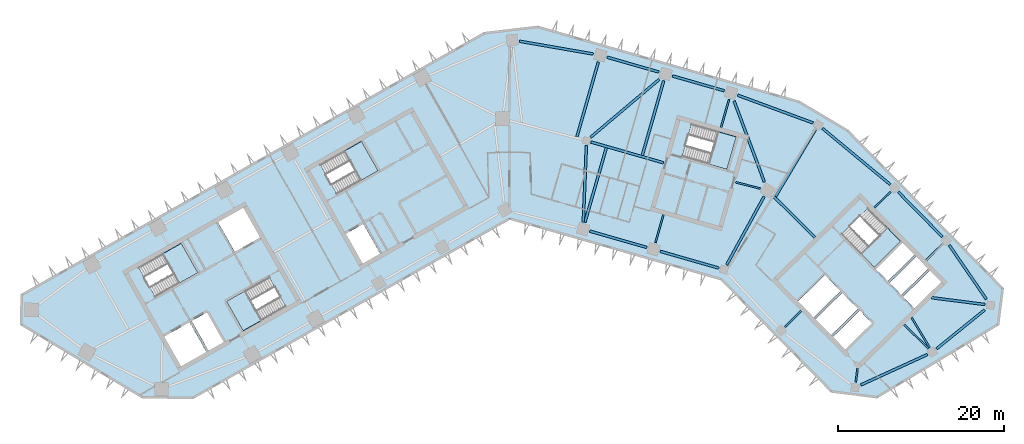
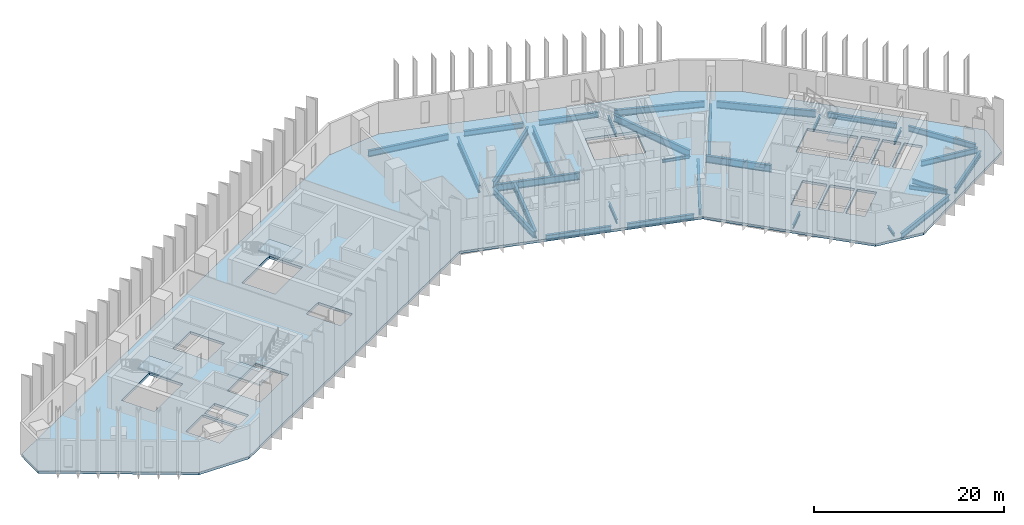
# One storey, part 2 of 11: 31 beams, 6 slabs, 5 elements without a shape of their own.
"""IFC4 building model written with IfcOpenShell, lengths in metres."""

from ifc_helpers import new_model, si_unit, direction, frame, origin, origin_2d, place, context, subcontext, project, spatial, polyline, i_section, outline, extrude, material, layer, layer_set, material_profile, profile_set, type_object, element, aggregate, save


model = new_model("IFC4")

# Units and contexts
model_context = context("Model", 3, precision=1e-05, world=origin(), true_north=direction((0.0, 1.0)))
body_context = subcontext(model_context, "Body", "Model", "MODEL_VIEW")
ifc_project = project(units=[si_unit("LENGTHUNIT", "METRE"), si_unit("AREAUNIT", "SQUARE_METRE"), si_unit("VOLUMEUNIT", "CUBIC_METRE"), si_unit("PLANEANGLEUNIT", "RADIAN"), si_unit("MASSUNIT", "GRAM", prefix="KILO")], contexts=[model_context])

# Site, building, storey
site_placement = place(None, origin())
site = spatial("IfcSite", under=ifc_project, at=site_placement, CompositionType="ELEMENT")
building_placement = place(site_placement, origin())
building = spatial("IfcBuilding", under=site, at=building_placement, Name="Binnacle Exchange Tower", CompositionType="ELEMENT")
storey_placement = place(building_placement, frame((0.0, 0.0, 97.10009765625)))
storey = spatial("IfcBuildingStorey", under=building, at=storey_placement, Name="L19", CompositionType="ELEMENT", Elevation=97.10009765625)

# Beams
ifc_material_1 = material(Name="Steel S355 (SHN355)", Category="steel")
ifc_material_profile_1 = material_profile(ifc_material_1, i_section(OverallWidth=0.300048828125, OverallDepth=0.699951171875, WebThickness=0.012939453125, FlangeThickness=0.02392578125, FilletRadius=0.028076171875, at=origin_2d()), Name="H 700x300x13x24")
ifc_profile_set_1 = profile_set([ifc_material_profile_1], Name="Steel S355 (SHN355)")
beam_type_1 = type_object("IfcBeamType", Name="Edge girder H 700x300x13x24 Steel S355 (SHN355)", PredefinedType="SPANDREL", material=ifc_profile_set_1)
beam_1_placement = place(storey_placement, frame((9.626708984375, 46.488037109375, -0.670166015625), z_axis=(0.961260850036, -0.275640305812, 0.0), x_axis=(0.275640305812, 0.961260850036, 0.0)))
element("IfcBeam", 1, at=beam_1_placement, inside=storey, type_object=beam_type_1, Name="S:BM:edge:L19:030", PredefinedType="SPANDREL", context=body_context, shape_type="SweptSolid", body=[
    extrude(i_section(OverallWidth=0.300048828125, OverallDepth=0.699951171875, WebThickness=0.012939453125, FlangeThickness=0.02392578125, FilletRadius=0.028076171875, at=origin_2d()), origin(), (0.0, 0.0, 1.0), 7.120361328125),
])
beam_2_placement = place(storey_placement, frame((17.92919921875, 65.610595703125, -0.670166015625), z_axis=(-0.961261624999, 0.275637603213, 0.0), x_axis=(-0.275637603213, -0.961261624999, 0.0)))
element("IfcBeam", 2, at=beam_2_placement, inside=storey, type_object=beam_type_1, Name="S:BM:edge:L19:032", PredefinedType="SPANDREL", context=body_context, shape_type="SweptSolid", body=[
    extrude(i_section(OverallWidth=0.300048828125, OverallDepth=0.699951171875, WebThickness=0.012939453125, FlangeThickness=0.02392578125, FilletRadius=0.028076171875, at=origin_2d()), origin(), (0.0, 0.0, 1.0), 6.472900390625),
])
beam_3_placement = place(storey_placement, frame((18.105224609375, 44.056884765625, -0.670166015625), z_axis=(0.96126047873, -0.275641600691, 0.0), x_axis=(0.275641600691, 0.96126047873, 0.0)))
element("IfcBeam", 3, at=beam_3_placement, inside=storey, type_object=beam_type_1, Name="S:BM:edge:L19:033", PredefinedType="SPANDREL", context=body_context, shape_type="SweptSolid", body=[
    extrude(i_section(OverallWidth=0.300048828125, OverallDepth=0.699951171875, WebThickness=0.012939453125, FlangeThickness=0.02392578125, FilletRadius=0.028076171875, at=origin_2d()), origin(), (0.0, 0.0, 1.0), 7.320556640625),
])
beam_4_placement = place(storey_placement, frame((25.78564453125, 63.35791015625, -0.670166015625), z_axis=(-0.961271618025, 0.275602751036, 0.0), x_axis=(-0.275602751036, -0.961271618025, 0.0)))
element("IfcBeam", 4, at=beam_4_placement, inside=storey, type_object=beam_type_1, Name="S:BM:edge:L19:034", PredefinedType="SPANDREL", context=body_context, shape_type="SweptSolid", body=[
    extrude(i_section(OverallWidth=0.300048828125, OverallDepth=0.699951171875, WebThickness=0.012939453125, FlangeThickness=0.02392578125, FilletRadius=0.028076171875, at=origin_2d()), origin(), (0.0, 0.0, 1.0), 6.472900390625),
])
beam_5_placement = place(storey_placement, frame((51.322265625, 32.343505859375, -0.670166015625), z_axis=(0.777568489665, 0.628798253719, 0.0), x_axis=(-0.628798253719, 0.777568489665, 0.0)))
element("IfcBeam", 5, at=beam_5_placement, inside=storey, type_object=beam_type_1, Name="S:BM:edge:L19:040", PredefinedType="SPANDREL", context=body_context, shape_type="SweptSolid", body=[
    extrude(i_section(OverallWidth=0.300048828125, OverallDepth=0.699951171875, WebThickness=0.012939453125, FlangeThickness=0.02392578125, FilletRadius=0.028076171875, at=origin_2d()), origin(), (0.0, 0.0, 1.0), 7.428955078125),
])
beam_6_placement = place(storey_placement, frame((52.010986328125, 45.802978515625, -0.670166015625), z_axis=(-0.700905226564, 0.713254417004, 0.0), x_axis=(-0.713254417004, -0.700905226564, 0.0)))
element("IfcBeam", 6, at=beam_6_placement, inside=storey, type_object=beam_type_1, Name="S:BM:edge:L19:041", PredefinedType="SPANDREL", context=body_context, shape_type="SweptSolid", body=[
    extrude(i_section(OverallWidth=0.300048828125, OverallDepth=0.699951171875, WebThickness=0.012939453125, FlangeThickness=0.02392578125, FilletRadius=0.028076171875, at=origin_2d()), origin(), (0.0, 0.0, 1.0), 7.57177734375),
])
beam_7_placement = place(storey_placement, frame((57.305419921875, 38.299072265625, -0.670166015625), z_axis=(-0.566409202341, 0.82412415054, 0.0), x_axis=(-0.82412415054, -0.566409202341, 0.0)))
element("IfcBeam", 7, at=beam_7_placement, inside=storey, type_object=beam_type_1, Name="S:BM:edge:L19:042", PredefinedType="SPANDREL", context=body_context, shape_type="SweptSolid", body=[
    extrude(i_section(OverallWidth=0.300048828125, OverallDepth=0.699951171875, WebThickness=0.012939453125, FlangeThickness=0.02392578125, FilletRadius=0.028076171875, at=origin_2d()), origin(), (0.0, 0.0, 1.0), 7.8828125),
])
ifc_material_profile_2 = material_profile(ifc_material_1, i_section(OverallWidth=0.302001953125, OverallDepth=0.7080078125, WebThickness=0.014892578125, FlangeThickness=0.028076171875, FilletRadius=0.028076171875, at=origin_2d()), Name="H 708x302x15x28")
ifc_profile_set_2 = profile_set([ifc_material_profile_2], Name="Steel S355 (SHN355)")
beam_type_2 = type_object("IfcBeamType", Name="Edge girder H 708x302x15x28 Steel S355 (SHN355)", PredefinedType="SPANDREL", material=ifc_profile_set_2)
beam_8_placement = place(storey_placement, frame((42.215576171875, 27.99365234375, -0.674072265625), z_axis=(0.909179052108, 0.416405392866, 0.0), x_axis=(-0.416405392866, 0.909179052108, 0.0)))
element("IfcBeam", 8, at=beam_8_placement, inside=storey, type_object=beam_type_2, Name="S:BM:edge:L19:038", PredefinedType="SPANDREL", context=body_context, shape_type="SweptSolid", body=[
    extrude(i_section(OverallWidth=0.302001953125, OverallDepth=0.7080078125, WebThickness=0.014892578125, FlangeThickness=0.028076171875, FilletRadius=0.028076171875, at=origin_2d()), origin(), (0.0, 0.0, 1.0), 8.801025390625),
])
ifc_material_profile_3 = material_profile(ifc_material_1, i_section(OverallWidth=0.300048828125, OverallDepth=0.800048828125, WebThickness=0.013916015625, FlangeThickness=0.02587890625, FilletRadius=0.028076171875, at=origin_2d()), Name="H 800x300x14x26")
ifc_profile_set_3 = profile_set([ifc_material_profile_3], Name="Steel S355 (SHN355)")
beam_type_3 = type_object("IfcBeamType", Name="Edge girder H 800x300x14x26 Steel S355 (SHN355)", PredefinedType="SPANDREL", material=ifc_profile_set_3)
beam_9_placement = place(storey_placement, frame((10.047607421875, 67.77490234375, -0.72021484375), z_axis=(-0.985312460293, 0.17076110679, 0.0), x_axis=(-0.17076110679, -0.985312460293, 0.0)))
element("IfcBeam", 9, at=beam_9_placement, inside=storey, type_object=beam_type_3, Name="S:BM:edge:L19:031", PredefinedType="SPANDREL", context=body_context, shape_type="SweptSolid", body=[
    extrude(i_section(OverallWidth=0.300048828125, OverallDepth=0.800048828125, WebThickness=0.013916015625, FlangeThickness=0.02587890625, FilletRadius=0.028076171875, at=origin_2d()), origin(), (0.0, 0.0, 1.0), 9.005859375),
])
ifc_material_profile_4 = material_profile(ifc_material_1, i_section(OverallWidth=0.302001953125, OverallDepth=0.80810546875, WebThickness=0.01611328125, FlangeThickness=0.030029296875, FilletRadius=0.028076171875, at=origin_2d()), Name="H 808x302x16x30")
ifc_profile_set_4 = profile_set([ifc_material_profile_4], Name="Steel S355 (SHN355)")
beam_type_4 = type_object("IfcBeamType", Name="Edge girder H 808x302x16x30 Steel S355 (SHN355)", PredefinedType="SPANDREL", material=ifc_profile_set_4)
beam_10_placement = place(storey_placement, frame((36.464599609375, 59.490966796875, -0.72412109375), z_axis=(-0.938368148393, 0.345637408395, 0.0), x_axis=(-0.345637408395, -0.938368148393, 0.0)))
element("IfcBeam", 10, at=beam_10_placement, inside=storey, type_object=beam_type_4, Name="S:BM:edge:L19:037", PredefinedType="SPANDREL", context=body_context, shape_type="SweptSolid", body=[
    extrude(i_section(OverallWidth=0.302001953125, OverallDepth=0.80810546875, WebThickness=0.01611328125, FlangeThickness=0.030029296875, FilletRadius=0.028076171875, at=origin_2d()), origin(), (0.0, 0.0, 1.0), 9.6572265625),
])
ifc_material_profile_5 = material_profile(ifc_material_1, i_section(OverallWidth=0.300048828125, OverallDepth=0.89990234375, WebThickness=0.01611328125, FlangeThickness=0.028076171875, FilletRadius=0.028076171875, at=origin_2d()), Name="H 900x300x16x28")
ifc_profile_set_5 = profile_set([ifc_material_profile_5], Name="Steel S355 (SHN355)")
beam_type_5 = type_object("IfcBeamType", Name="Edge girder H 900x300x16x28 Steel S355 (SHN355)", PredefinedType="SPANDREL", material=ifc_profile_set_5)
beam_11_placement = place(storey_placement, frame((45.7451171875, 52.084228515625, -0.77001953125), z_axis=(-0.769906025895, 0.638157277864, 0.0), x_axis=(-0.638157277864, -0.769906025895, 0.0)))
element("IfcBeam", 11, at=beam_11_placement, inside=storey, type_object=beam_type_5, Name="S:BM:edge:L19:039", PredefinedType="SPANDREL", context=body_context, shape_type="SweptSolid", body=[
    extrude(i_section(OverallWidth=0.300048828125, OverallDepth=0.89990234375, WebThickness=0.01611328125, FlangeThickness=0.028076171875, FilletRadius=0.028076171875, at=origin_2d()), origin(), (0.0, 0.0, 1.0), 10.59033203125),
])
ifc_material_profile_6 = material_profile(ifc_material_1, i_section(OverallWidth=0.199951171875, OverallDepth=0.39990234375, WebThickness=0.008056640625, FlangeThickness=0.012939453125, FilletRadius=0.01611328125, at=origin_2d()), Name="H 400x200x8x13")
ifc_profile_set_6 = profile_set([ifc_material_profile_6], Name="Steel S355 (SHN355)")
beam_type_6 = type_object("IfcBeamType", Name="Floor beam H 400x200x8x13 Steel S355 (SHN355)", PredefinedType="BEAM", material=ifc_profile_set_6)
beam_12_placement = place(storey_placement, frame((41.601806640625, 28.319580078125, -0.52001953125), z_axis=(0.126197116971, 0.992005185303, 0.0), x_axis=(-0.992005185303, 0.126197116971, 0.0)))
element("IfcBeam", 12, at=beam_12_placement, inside=storey, type_object=beam_type_6, Name="S:BM:cross:L19:063", PredefinedType="BEAM", context=body_context, shape_type="SweptSolid", body=[
    extrude(i_section(OverallWidth=0.199951171875, OverallDepth=0.39990234375, WebThickness=0.008056640625, FlangeThickness=0.012939453125, FilletRadius=0.01611328125, at=origin_2d()), origin(), (0.0, 0.0, 1.0), 1.68115234375),
])
ifc_material_profile_7 = material_profile(ifc_material_1, i_section(OverallWidth=0.199951171875, OverallDepth=0.449951171875, WebThickness=0.009033203125, FlangeThickness=0.013916015625, FilletRadius=0.01806640625, at=origin_2d()), Name="H 450x200x9x14")
ifc_profile_set_7 = profile_set([ifc_material_profile_7], Name="Steel S355 (SHN355)")
beam_type_7 = type_object("IfcBeamType", Name="Floor beam H 450x200x9x14 Steel S355 (SHN355)", PredefinedType="BEAM", material=ifc_profile_set_7)
for number, where, z_axis, x_axis, name in (
    (13, (33.104736328125, 34.985595703125, -0.545166015625), (0.713254209224, 0.700905438004, 0.0), (-0.700905438004, 0.713254209224, 0.0), "S:BM:cross:L19:061"),
    (14, (45.78466796875, 51.211669921875, -0.545166015625), (-0.713299272232, -0.700859578113, 0.0), (0.700859578113, -0.713299272232, 0.0), "S:BM:cross:L19:064"),
    (15, (52.003173828125, 44.8837890625, -0.545166015625), (-0.713254209224, -0.700905438004, 0.0), (0.700905438004, -0.713254209224, 0.0), "S:BM:cross:L19:066"),
):
    element("IfcBeam", number, at=place(storey_placement, frame(where, z_axis=z_axis, x_axis=x_axis)), inside=storey, type_object=beam_type_7, Name=name, PredefinedType="BEAM", context=body_context, shape_type="SweptSolid", body=[
        extrude(i_section(OverallWidth=0.199951171875, OverallDepth=0.449951171875, WebThickness=0.009033203125, FlangeThickness=0.013916015625, FilletRadius=0.01806640625, at=origin_2d()), origin(), (0.0, 0.0, 1.0), 2.70849609375),
    ])
ifc_material_profile_8 = material_profile(ifc_material_1, i_section(OverallWidth=0.200927734375, OverallDepth=0.506103515625, WebThickness=0.010986328125, FlangeThickness=0.01904296875, FilletRadius=0.02001953125, at=origin_2d()), Name="H 506x201x11x19")
ifc_profile_set_8 = profile_set([ifc_material_profile_8], Name="Steel S355 (SHN355)")
beam_type_8 = type_object("IfcBeamType", Name="Floor beam H 506x201x11x19 Steel S355 (SHN355)", PredefinedType="BEAM", material=ifc_profile_set_8)
for number, where, z_axis, x_axis, name in (
    (16, (17.5224609375, 45.108154296875, -0.572998046875), (0.275655468279, 0.961256502089, 0.0), (-0.961256502089, 0.275655468279, 0.0), "S:BM:cross:L19:058"),
    (17, (26.368408203125, 62.306396484375, -0.572998046875), (-0.275655468279, -0.961256502089, 0.0), (0.961256502089, -0.275655468279, 0.0), "S:BM:cross:L19:060"),
):
    element("IfcBeam", number, at=place(storey_placement, frame(where, z_axis=z_axis, x_axis=x_axis)), inside=storey, type_object=beam_type_8, Name=name, PredefinedType="BEAM", context=body_context, shape_type="SweptSolid", body=[
        extrude(i_section(OverallWidth=0.200927734375, OverallDepth=0.506103515625, WebThickness=0.010986328125, FlangeThickness=0.01904296875, FilletRadius=0.02001953125, at=origin_2d()), origin(), (0.0, 0.0, 1.0), 3.485107421875),
    ])
ifc_material_profile_9 = material_profile(ifc_material_1, i_section(OverallWidth=0.199951171875, OverallDepth=0.60009765625, WebThickness=0.010986328125, FlangeThickness=0.01708984375, FilletRadius=0.02197265625, at=origin_2d()), Name="H 600x200x11x17")
ifc_profile_set_9 = profile_set([ifc_material_profile_9], Name="Steel S355 (SHN355)")
beam_type_9 = type_object("IfcBeamType", Name="Floor beam H 600x200x11x17 Steel S355 (SHN355)", PredefinedType="BEAM", material=ifc_profile_set_9)
beam_13_placement = place(storey_placement, frame((50.477294921875, 32.488037109375, -0.6201171875), z_axis=(-0.515057466438, 0.857155648798, 0.0), x_axis=(-0.857155648798, -0.515057466438, 0.0)))
element("IfcBeam", 18, at=beam_13_placement, inside=storey, type_object=beam_type_9, Name="S:BM:cross:L19:065", PredefinedType="BEAM", context=body_context, shape_type="SweptSolid", body=[
    extrude(i_section(OverallWidth=0.199951171875, OverallDepth=0.60009765625, WebThickness=0.010986328125, FlangeThickness=0.01708984375, FilletRadius=0.02197265625, at=origin_2d()), origin(), (0.0, 0.0, 1.0), 4.2177734375),
])
ifc_material_profile_10 = material_profile(ifc_material_1, i_section(OverallWidth=0.300048828125, OverallDepth=0.699951171875, WebThickness=0.012939453125, FlangeThickness=0.02392578125, FilletRadius=0.028076171875, at=origin_2d()), Name="H 700x300x13x24")
ifc_profile_set_10 = profile_set([ifc_material_profile_10], Name="Steel S355 (SHN355)")
beam_type_10 = type_object("IfcBeamType", Name="Floor beam H 700x300x13x24 Steel S355 (SHN355)", PredefinedType="BEAM", material=ifc_profile_set_10)
beam_14_placement = place(storey_placement, frame((57.154296875, 37.6630859375, -0.670166015625), z_axis=(-0.992006658356, 0.126185537116, 0.0), x_axis=(-0.126185537116, -0.992006658356, 0.0)))
element("IfcBeam", 19, at=beam_14_placement, inside=storey, type_object=beam_type_10, Name="S:BM:cross:L19:067", PredefinedType="BEAM", context=body_context, shape_type="SweptSolid", body=[
    extrude(i_section(OverallWidth=0.300048828125, OverallDepth=0.699951171875, WebThickness=0.012939453125, FlangeThickness=0.02392578125, FilletRadius=0.028076171875, at=origin_2d()), origin(), (0.0, 0.0, 1.0), 6.4814453125),
])
ifc_material_profile_11 = material_profile(ifc_material_1, i_section(OverallWidth=0.302978515625, OverallDepth=0.91796875, WebThickness=0.01904296875, FlangeThickness=0.037109375, FilletRadius=0.028076171875, at=origin_2d()), Name="H 918x303x19x37")
ifc_profile_set_11 = profile_set([ifc_material_profile_11], Name="Steel S355 (SHN355)")
beam_type_11 = type_object("IfcBeamType", Name="Floor beam H 918x303x19x37 Steel S355 (SHN355)", PredefinedType="BEAM", material=ifc_profile_set_11)
beam_15_placement = place(storey_placement, frame((9.043701171875, 47.539306640625, -0.779052734375), z_axis=(0.275646698205, 0.961259017003, 0.0), x_axis=(-0.961259017003, 0.275646698205, 0.0)))
element("IfcBeam", 20, at=beam_15_placement, inside=storey, type_object=beam_type_11, Name="S:BM:cross:L19:056", PredefinedType="BEAM", context=body_context, shape_type="SweptSolid", body=[
    extrude(i_section(OverallWidth=0.302978515625, OverallDepth=0.91796875, WebThickness=0.01904296875, FlangeThickness=0.037109375, FilletRadius=0.028076171875, at=origin_2d()), origin(), (0.0, 0.0, 1.0), 9.335205078125),
])
beam_16_placement = place(storey_placement, frame((10.65576171875, 66.81201171875, -0.779052734375), z_axis=(-0.275626703457, -0.961264750389, 0.0), x_axis=(0.961264750389, -0.275626703457, 0.0)))
element("IfcBeam", 21, at=beam_16_placement, inside=storey, type_object=beam_type_11, Name="S:BM:cross:L19:057", PredefinedType="BEAM", context=body_context, shape_type="SweptSolid", body=[
    extrude(i_section(OverallWidth=0.302978515625, OverallDepth=0.91796875, WebThickness=0.01904296875, FlangeThickness=0.037109375, FilletRadius=0.028076171875, at=origin_2d()), origin(), (0.0, 0.0, 1.0), 9.363525390625),
])
beam_17_placement = place(storey_placement, frame((18.511962890625, 64.55908203125, -0.779052734375), z_axis=(-0.275629461812, -0.961263959473, 0.0), x_axis=(0.961263959473, -0.275629461812, 0.0)))
element("IfcBeam", 22, at=beam_17_placement, inside=storey, type_object=beam_type_11, Name="S:BM:cross:L19:059", PredefinedType="BEAM", context=body_context, shape_type="SweptSolid", body=[
    extrude(i_section(OverallWidth=0.302978515625, OverallDepth=0.91796875, WebThickness=0.01904296875, FlangeThickness=0.037109375, FilletRadius=0.028076171875, at=origin_2d()), origin(), (0.0, 0.0, 1.0), 9.3349609375),
])
beam_18_placement = place(storey_placement, frame((36.752685546875, 58.703857421875, -0.779052734375), z_axis=(-0.511298188751, -0.859403375709, 0.0), x_axis=(0.859403375709, -0.511298188751, 0.0)))
element("IfcBeam", 23, at=beam_18_placement, inside=storey, type_object=beam_type_11, Name="S:BM:cross:L19:062", PredefinedType="BEAM", context=body_context, shape_type="SweptSolid", body=[
    extrude(i_section(OverallWidth=0.302978515625, OverallDepth=0.91796875, WebThickness=0.01904296875, FlangeThickness=0.037109375, FilletRadius=0.028076171875, at=origin_2d()), origin(), (0.0, 0.0, 1.0), 9.385986328125),
])
ifc_material_profile_12 = material_profile(ifc_material_1, i_section(OverallWidth=0.199951171875, OverallDepth=0.39990234375, WebThickness=0.008056640625, FlangeThickness=0.012939453125, FilletRadius=0.01611328125, at=origin_2d()), Name="H 400x200x8x13")
ifc_profile_set_12 = profile_set([ifc_material_profile_12], Name="Steel S355 (SHN355)")
beam_type_12 = type_object("IfcBeamType", Name="Spine girder H 400x200x8x13 Steel S355 (SHN355)", PredefinedType="BEAM", material=ifc_profile_set_12)
beam_19_placement = place(storey_placement, frame((27.17138671875, 52.35400390625, -0.52001953125), z_axis=(0.969359627701, -0.245645908136, 0.0), x_axis=(0.245645908136, 0.969359627701, 0.0)))
element("IfcBeam", 24, at=beam_19_placement, inside=storey, type_object=beam_type_12, Name="S:BM:spine:L19:010", PredefinedType="BEAM", context=body_context, shape_type="SweptSolid", body=[
    extrude(i_section(OverallWidth=0.199951171875, OverallDepth=0.39990234375, WebThickness=0.008056640625, FlangeThickness=0.012939453125, FilletRadius=0.01611328125, at=origin_2d()), origin(), (0.0, 0.0, 1.0), 3.046142578125),
])
ifc_material_profile_13 = material_profile(ifc_material_1, i_section(OverallWidth=0.200927734375, OverallDepth=0.506103515625, WebThickness=0.010986328125, FlangeThickness=0.01904296875, FilletRadius=0.02001953125, at=origin_2d()), Name="H 506x201x11x19")
ifc_profile_set_13 = profile_set([ifc_material_profile_13], Name="Steel S355 (SHN355)")
beam_type_13 = type_object("IfcBeamType", Name="Spine girder H 506x201x11x19 Steel S355 (SHN355)", PredefinedType="BEAM", material=ifc_profile_set_13)
beam_20_placement = place(storey_placement, frame((47.417236328125, 35.23095703125, -0.572998046875), z_axis=(0.717013275689, -0.697059511437, 0.0), x_axis=(0.697059511437, 0.717013275689, 0.0)))
element("IfcBeam", 25, at=beam_20_placement, inside=storey, type_object=beam_type_13, Name="S:BM:spine:L19:014", PredefinedType="BEAM", context=body_context, shape_type="SweptSolid", body=[
    extrude(i_section(OverallWidth=0.200927734375, OverallDepth=0.506103515625, WebThickness=0.010986328125, FlangeThickness=0.01904296875, FilletRadius=0.02001953125, at=origin_2d()), origin(), (0.0, 0.0, 1.0), 4.06201171875),
])
ifc_material_profile_14 = material_profile(ifc_material_1, i_section(OverallWidth=0.302001953125, OverallDepth=0.80810546875, WebThickness=0.01611328125, FlangeThickness=0.030029296875, FilletRadius=0.028076171875, at=origin_2d()), Name="H 808x302x16x30")
ifc_profile_set_14 = profile_set([ifc_material_profile_14], Name="Steel S355 (SHN355)")
beam_type_14 = type_object("IfcBeamType", Name="Spine girder H 808x302x16x30 Steel S355 (SHN355)", PredefinedType="BEAM", material=ifc_profile_set_14)
beam_21_placement = place(storey_placement, frame((9.218017578125, 56.78466796875, -0.72412109375), z_axis=(-0.040567083206, -0.999176817065, 0.0), x_axis=(0.999176817065, -0.040567083206, 0.0)))
element("IfcBeam", 26, at=beam_21_placement, inside=storey, type_object=beam_type_14, Name="S:BM:spine:L19:007", PredefinedType="BEAM", context=body_context, shape_type="SweptSolid", body=[
    extrude(i_section(OverallWidth=0.302001953125, OverallDepth=0.80810546875, WebThickness=0.01611328125, FlangeThickness=0.030029296875, FilletRadius=0.028076171875, at=origin_2d()), origin(), (0.0, 0.0, 1.0), 9.19580078125),
])
beam_22_placement = place(storey_placement, frame((30.580078125, 50.6396484375, -0.72412109375), z_axis=(-0.480716000085, -0.87687634662, 0.0), x_axis=(0.87687634662, -0.480716000085, 0.0)))
element("IfcBeam", 27, at=beam_22_placement, inside=storey, type_object=beam_type_14, Name="S:BM:spine:L19:011", PredefinedType="BEAM", context=body_context, shape_type="SweptSolid", body=[
    extrude(i_section(OverallWidth=0.302001953125, OverallDepth=0.80810546875, WebThickness=0.01611328125, FlangeThickness=0.030029296875, FilletRadius=0.028076171875, at=origin_2d()), origin(), (0.0, 0.0, 1.0), 9.34619140625),
])
ifc_material_profile_15 = material_profile(ifc_material_1, i_section(OverallWidth=0.302001953125, OverallDepth=0.912109375, WebThickness=0.01806640625, FlangeThickness=0.033935546875, FilletRadius=0.028076171875, at=origin_2d()), Name="H 912x302x18x34")
ifc_profile_set_15 = profile_set([ifc_material_profile_15], Name="Steel S355 (SHN355)")
beam_type_15 = type_object("IfcBeamType", Name="Spine girder H 912x302x18x34 Steel S355 (SHN355)", PredefinedType="BEAM", material=ifc_profile_set_15)
beam_23_placement = place(storey_placement, frame((9.74658203125, 57.77734375, -0.776123046875), z_axis=(0.764072930463, 0.64512987602, 0.0), x_axis=(-0.64512987602, 0.764072930463, 0.0)))
element("IfcBeam", 28, at=beam_23_placement, inside=storey, type_object=beam_type_15, Name="S:BM:spine:L19:008", PredefinedType="BEAM", context=body_context, shape_type="SweptSolid", body=[
    extrude(i_section(OverallWidth=0.302001953125, OverallDepth=0.912109375, WebThickness=0.01806640625, FlangeThickness=0.033935546875, FilletRadius=0.028076171875, at=origin_2d()), origin(), (0.0, 0.0, 1.0), 10.755615234375),
])
beam_24_placement = place(storey_placement, frame((30.614501953125, 52.389892578125, -0.776123046875), z_axis=(-0.350104624168, 0.936710602126, 0.0), x_axis=(-0.936710602126, -0.350104624168, 0.0)))
element("IfcBeam", 29, at=beam_24_placement, inside=storey, type_object=beam_type_15, Name="S:BM:spine:L19:012", PredefinedType="BEAM", context=body_context, shape_type="SweptSolid", body=[
    extrude(i_section(OverallWidth=0.302001953125, OverallDepth=0.912109375, WebThickness=0.01806640625, FlangeThickness=0.033935546875, FilletRadius=0.028076171875, at=origin_2d()), origin(), (0.0, 0.0, 1.0), 10.4013671875),
])
ifc_material_profile_16 = material_profile(ifc_material_1, i_section(OverallWidth=0.302978515625, OverallDepth=0.91796875, WebThickness=0.01904296875, FlangeThickness=0.037109375, FilletRadius=0.028076171875, at=origin_2d()), Name="H 918x303x19x37")
ifc_profile_set_16 = profile_set([ifc_material_profile_16], Name="Steel S355 (SHN355)")
beam_type_16 = type_object("IfcBeamType", Name="Spine girder H 918x303x19x37 Steel S355 (SHN355)", PredefinedType="BEAM", material=ifc_profile_set_16)
beam_25_placement = place(storey_placement, frame((9.76953125, 57.198486328125, -0.779052734375), z_axis=(0.961265329417, -0.275624684057, 0.0), x_axis=(0.275624684057, 0.961265329417, 0.0)))
element("IfcBeam", 30, at=beam_25_placement, inside=storey, type_object=beam_type_16, Name="S:BM:spine:L19:009", PredefinedType="BEAM", context=body_context, shape_type="SweptSolid", body=[
    extrude(i_section(OverallWidth=0.302978515625, OverallDepth=0.91796875, WebThickness=0.01904296875, FlangeThickness=0.037109375, FilletRadius=0.028076171875, at=origin_2d()), origin(), (0.0, 0.0, 1.0), 9.063232421875),
])
beam_26_placement = place(storey_placement, frame((31.60888671875, 50.773681640625, -0.779052734375), z_axis=(0.711013452478, -0.703178405809, 0.0), x_axis=(0.703178405809, 0.711013452478, 0.0)))
element("IfcBeam", 31, at=beam_26_placement, inside=storey, type_object=beam_type_16, Name="S:BM:spine:L19:013", PredefinedType="BEAM", context=body_context, shape_type="SweptSolid", body=[
    extrude(i_section(OverallWidth=0.302978515625, OverallDepth=0.91796875, WebThickness=0.01904296875, FlangeThickness=0.037109375, FilletRadius=0.028076171875, at=origin_2d()), origin(), (0.0, 0.0, 1.0), 7.166748046875),
])

# Slab
ifc_material_2 = material(Name="Concrete C35/45", Category="concrete")
ifc_layer_1 = layer(ifc_material_2, 0.320068359375)
ifc_layer_set_1 = layer_set([ifc_layer_1], Name="Floor slab 320 Concrete C35/45")
slab_type_1 = type_object("IfcSlabType", Name="Floor slab 320 Concrete C35/45", PredefinedType="FLOOR", material=ifc_layer_set_1)
slab_1_placement = place(storey_placement, frame((0.0, 0.0, -0.320068359375)))
element("IfcSlab", 32, at=slab_1_placement, inside=storey, type_object=slab_type_1, Name="S:SL:L19:01", PredefinedType="FLOOR", context=body_context, shape_type="SweptSolid", body=[
    extrude(outline(polyline([(59.262939453125, 39.5791015625), (58.716064453125, 35.280029296875), (44.14404296875, 26.5244140625), (38.69091796875, 27.21826171875), (25.43603515625, 40.706298828125), (0.0, 48.0), (-38.097900390625, 26.4453125), (-44.14404296875, 26.5244140625), (-58.716064453125, 35.280029296875), (-58.669921875, 38.80615234375), (-3.046142578125, 70.276611328125), (3.364501953125, 71.035400390625), (34.789794921875, 62.024169921875), (40.607421875, 58.56298828125), (59.262939453125, 39.5791015625)]), holes=[polyline([(-38.4794921875, 35.529296875), (-41.61279296875, 33.756591796875), (-39.544677734375, 30.10107421875), (-36.411376953125, 31.873779296875), (-38.4794921875, 35.529296875)]), polyline([(-34.322509765625, 33.0556640625), (-36.390625, 36.711181640625), (-38.21826171875, 35.677001953125), (-36.150146484375, 32.021484375), (-34.322509765625, 33.0556640625)]), polyline([(-34.040771484375, 38.04052734375), (-32.04638671875, 34.515625), (-26.9287109375, 37.4111328125), (-28.923095703125, 40.93603515625), (-34.040771484375, 38.04052734375)]), polyline([(-37.486572265625, 41.4912109375), (-39.480712890625, 45.01611328125), (-44.598388671875, 42.12060546875), (-42.604248046875, 38.595703125), (-37.486572265625, 41.4912109375)]), polyline([(-15.53076171875, 43.6875), (-17.598876953125, 47.343017578125), (-19.77490234375, 46.11181640625), (-17.70654296875, 42.456298828125), (-15.53076171875, 43.6875)]), polyline([(-29.914306640625, 45.775390625), (-31.982666015625, 49.430908203125), (-35.115966796875, 47.657958984375), (-33.047607421875, 44.00244140625), (-29.914306640625, 45.775390625)]), polyline([(-15.822509765625, 53.748046875), (-17.81689453125, 57.27294921875), (-22.760498046875, 54.47607421875), (-20.76611328125, 50.950927734375), (-15.822509765625, 53.748046875)]), polyline([(26.111328125, 53.9169921875), (27.227783203125, 57.810302734375), (21.864013671875, 59.348388671875), (20.74755859375, 55.455078125), (26.111328125, 53.9169921875)]), polyline([(40.268798828125, 32.201904296875), (43.549560546875, 35.426025390625), (42.07763671875, 36.923828125), (38.796875, 33.69970703125), (40.268798828125, 32.201904296875)]), polyline([(38.58642578125, 33.913818359375), (41.867431640625, 37.137939453125), (39.97509765625, 39.063720703125), (36.694091796875, 35.83935546875), (38.58642578125, 33.913818359375)]), polyline([(36.48388671875, 36.053466796875), (39.7646484375, 39.277587890625), (37.872314453125, 41.203369140625), (34.59130859375, 37.979248046875), (36.48388671875, 36.053466796875)]), polyline([(48.726806640625, 37.148681640625), (52.0078125, 40.372802734375), (50.577880859375, 41.827880859375), (47.296875, 38.603759765625), (48.726806640625, 37.148681640625)]), polyline([(47.086669921875, 38.817626953125), (50.36767578125, 42.0419921875), (48.944580078125, 43.48974609375), (45.663818359375, 40.265625), (47.086669921875, 38.817626953125)]), polyline([(45.45361328125, 40.4794921875), (48.734375, 43.703857421875), (47.3115234375, 45.151611328125), (44.030517578125, 41.927490234375), (45.45361328125, 40.4794921875)]), polyline([(43.8203125, 42.141357421875), (46.994384765625, 45.260498046875), (43.083251953125, 49.240478515625), (39.9091796875, 46.121337890625), (43.8203125, 42.141357421875)])]), origin(), (0.0, 0.0, 1.0), 0.320068359375),
])

# Stair, slab
stair_type = type_object("IfcStairType", Name="STAIR 26 RISERS 169", PredefinedType="HALF_TURN_STAIR", material=ifc_material_2)
stair_1_placement = place(storey_placement, origin())
stair_1 = element("IfcStair", 33, at=stair_1_placement, inside=storey, type_object=stair_type, Name="L19 Escape stair A1", PredefinedType="HALF_TURN_STAIR")
ifc_layer_2 = layer(ifc_material_2, 0.199951171875)
ifc_layer_set_2 = layer_set([ifc_layer_2], Name="STAIR LANDING 200")
slab_type_2 = type_object("IfcSlabType", Name="STAIR LANDING 200", PredefinedType="LANDING", material=ifc_layer_set_2)
slab_2_placement = place(storey_placement, frame((0.0, 0.0, 2.0)))
slab_2 = element("IfcSlab", 34, at=slab_2_placement, type_object=slab_type_2, Name="STA1 landing 1", PredefinedType="LANDING", context=body_context, shape_type="SweptSolid", body=[
    extrude(outline(polyline([(-39.714599609375, 40.23046875), (-37.486572265625, 41.4912109375), (-39.48095703125, 45.01611328125), (-41.708984375, 43.755615234375), (-39.714599609375, 40.23046875)])), origin(), (0.0, 0.0, 1.0), 0.199951171875),
])
aggregate(stair_1, [slab_2])

stair_2_placement = place(storey_placement, origin())
stair_2 = element("IfcStair", 35, at=stair_2_placement, inside=storey, type_object=stair_type, Name="L19 Escape stair A2", PredefinedType="HALF_TURN_STAIR")
slab_3_placement = place(storey_placement, frame((0.0, 0.0, 2.0)))
slab_3 = element("IfcSlab", 36, at=slab_3_placement, type_object=slab_type_2, Name="STA2 landing 1", PredefinedType="LANDING", context=body_context, shape_type="SweptSolid", body=[
    extrude(outline(polyline([(-31.8125, 39.30126953125), (-34.040771484375, 38.04052734375), (-32.04638671875, 34.515625), (-29.818359375, 35.7763671875), (-31.8125, 39.30126953125)])), origin(), (0.0, 0.0, 1.0), 0.199951171875),
])
aggregate(stair_2, [slab_3])

stair_3_placement = place(storey_placement, origin())
stair_3 = element("IfcStair", 37, at=stair_3_placement, inside=storey, type_object=stair_type, Name="L19 Escape stair B1", PredefinedType="HALF_TURN_STAIR")
slab_4_placement = place(storey_placement, frame((0.0, 0.0, 2.0)))
slab_4 = element("IfcSlab", 38, at=slab_4_placement, type_object=slab_type_2, Name="STB1 landing 1", PredefinedType="LANDING", context=body_context, shape_type="SweptSolid", body=[
    extrude(outline(polyline([(42.236328125, 43.75341796875), (43.8203125, 42.141357421875), (46.994384765625, 45.260498046875), (45.410400390625, 46.872314453125), (42.236328125, 43.75341796875)])), origin(), (0.0, 0.0, 1.0), 0.199951171875),
])
aggregate(stair_3, [slab_4])

stair_4_placement = place(storey_placement, origin())
stair_4 = element("IfcStair", 39, at=stair_4_placement, inside=storey, type_object=stair_type, Name="L19 Escape stair C1", PredefinedType="HALF_TURN_STAIR")
slab_5_placement = place(storey_placement, frame((0.0, 0.0, 2.0)))
slab_5 = element("IfcSlab", 40, at=slab_5_placement, type_object=slab_type_2, Name="STC1 landing 1", PredefinedType="LANDING", context=body_context, shape_type="SweptSolid", body=[
    extrude(outline(polyline([(-17.876708984375, 52.5859375), (-15.822509765625, 53.748046875), (-17.81689453125, 57.27294921875), (-19.870849609375, 56.11083984375), (-17.876708984375, 52.5859375)])), origin(), (0.0, 0.0, 1.0), 0.199951171875),
])
aggregate(stair_4, [slab_5])

stair_5_placement = place(storey_placement, origin())
stair_5 = element("IfcStair", 41, at=stair_5_placement, inside=storey, type_object=stair_type, Name="L19 Escape stair D1", PredefinedType="HALF_TURN_STAIR")
slab_6_placement = place(storey_placement, frame((0.0, 0.0, 2.0)))
slab_6 = element("IfcSlab", 42, at=slab_6_placement, type_object=slab_type_2, Name="STD1 landing 1", PredefinedType="LANDING", context=body_context, shape_type="SweptSolid", body=[
    extrude(outline(polyline([(23.93896484375, 54.5400390625), (26.111328125, 53.917236328125), (27.227783203125, 57.810302734375), (25.05517578125, 58.43310546875), (23.93896484375, 54.5400390625)])), origin(), (0.0, 0.0, 1.0), 0.199951171875),
])
aggregate(stair_5, [slab_6])

save(model, "model.ifc")
